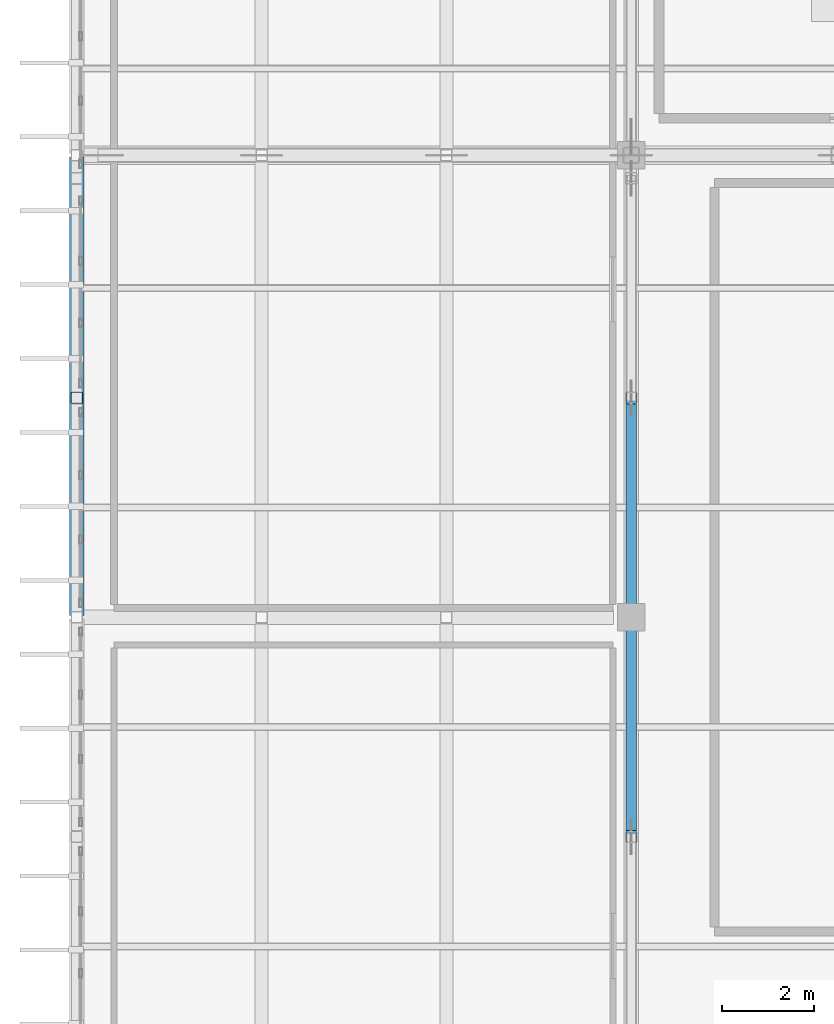
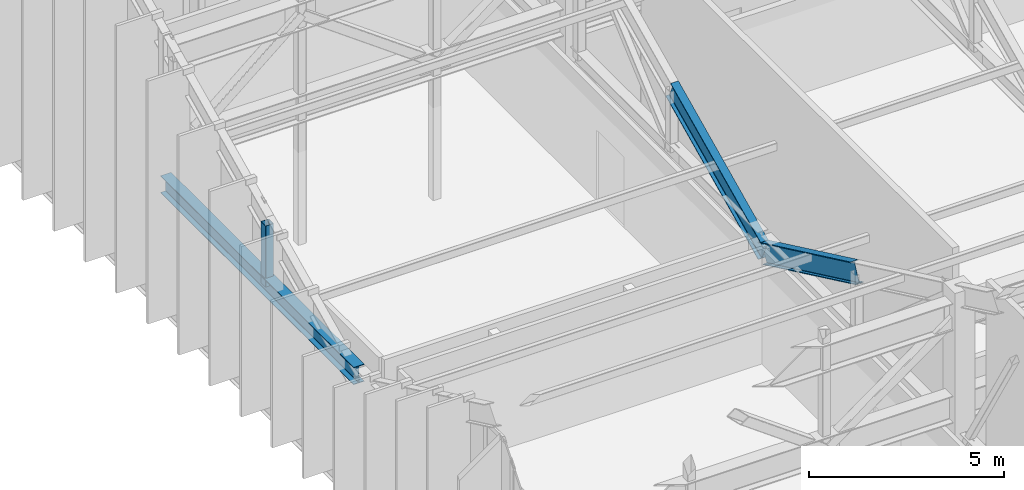
# One storey, part 19 of 68: 3 beams, 1 member.
"""IFC4 building model written with IfcOpenShell, lengths in metres."""

from ifc_helpers import new_model, si_unit, direction, frame, origin, origin_2d, place, context, subcontext, project, spatial, hollow_rectangle, i_section, extrude, material, material_profile, profile_set, type_object, element, save


model = new_model("IFC4")

# Units and contexts
model_context = context("Model", 3, precision=1e-05, world=origin(), true_north=direction((0.0, 1.0)))
body_context = subcontext(model_context, "Body", "Model", "MODEL_VIEW")
ifc_project = project(units=[si_unit("LENGTHUNIT", "METRE"), si_unit("AREAUNIT", "SQUARE_METRE"), si_unit("VOLUMEUNIT", "CUBIC_METRE"), si_unit("PLANEANGLEUNIT", "RADIAN"), si_unit("MASSUNIT", "GRAM", prefix="KILO")], contexts=[model_context])

# Site, building, storey
site_placement = place(None, origin())
site = spatial("IfcSite", under=ifc_project, at=site_placement, CompositionType="ELEMENT")
building_placement = place(site_placement, origin())
building = spatial("IfcBuilding", under=site, at=building_placement, Name="Miravela Opera House", CompositionType="ELEMENT")
storey_placement = place(building_placement, frame((0.0, 0.0, 21.760009765625)))
storey = spatial("IfcBuildingStorey", under=building, at=storey_placement, Name="L05", CompositionType="ELEMENT", Elevation=21.760009765625)

# Beams
ifc_material_1 = material(Name="Structural steel ASTM A992 Gr. 50", Category="steel")
ifc_material_profile_1 = material_profile(ifc_material_1, i_section(OverallWidth=0.31201171875, OverallDepth=0.54296875, WebThickness=0.0126953125, FlangeThickness=0.020263671875, FilletRadius=0.01611328125, at=origin_2d()), Name="W530X150")
ifc_profile_set_1 = profile_set([ifc_material_profile_1])
beam_type_1 = type_object("IfcBeamType", Name="STR-BM-W530X150", PredefinedType="BEAM", material=ifc_profile_set_1)
beam_placement = place(storey_placement, frame((15.0, 56.0400390625, 3.280029296875), z_axis=(0.0, 1.0, 0.0), x_axis=(-1.0, 0.0, 0.0)))
element("IfcBeam", 1, at=beam_placement, inside=storey, type_object=beam_type_1, Name="V-Crest Roof Truss Bottom Tie Chord X=15 Seg 3", PredefinedType="BEAM", context=body_context, shape_type="SweptSolid", body=[
    extrude(i_section(OverallWidth=0.31201171875, OverallDepth=0.54296875, WebThickness=0.0126953125, FlangeThickness=0.020263671875, FilletRadius=0.01611328125, at=origin_2d()), origin(), (0.0, 0.0, 1.0), 9.919921875),
])
ifc_material_profile_2 = material_profile(ifc_material_1, i_section(OverallWidth=0.22998046875, OverallDepth=0.616943359375, WebThickness=0.01318359375, FlangeThickness=0.022216796875, FilletRadius=0.01806640625, at=origin_2d()), Name="W610X140")
ifc_profile_set_2 = profile_set([ifc_material_profile_2])
beam_type_2 = type_object("IfcBeamType", Name="STR-BM-W610X140", PredefinedType="BEAM", material=ifc_profile_set_2)
for number, where, z_axis, x_axis, name in (
    (2, (27.0, 51.25, 5.189453125), (0.0, 0.903737838894, -0.428086344739), (-1.0, 0.0, 0.0), "V-Crest Roof Rafter Girder X=27 Seg 4"),
    (3, (27.0, 56.0, 2.939453125), (0.0, 0.903737838894, 0.428086344739), (-1.0, 0.0, 0.0), "V-Crest Roof Rafter Girder X=27 Seg 5"),
):
    element("IfcBeam", number, at=place(storey_placement, frame(where, z_axis=z_axis, x_axis=x_axis)), inside=storey, type_object=beam_type_2, Name=name, PredefinedType="BEAM", context=body_context, shape_type="SweptSolid", body=[
        extrude(i_section(OverallWidth=0.22998046875, OverallDepth=0.616943359375, WebThickness=0.01318359375, FlangeThickness=0.022216796875, FilletRadius=0.01806640625, at=origin_2d()), origin(), (0.0, 0.0, 1.0), 5.255859375),
    ])

# Member
ifc_material_2 = material(Name="Hollow structural steel ASTM A500 Gr. C", Category="steel")
ifc_material_profile_3 = material_profile(ifc_material_2, hollow_rectangle(XDim=0.25, YDim=0.25, WallThickness=0.011962890625, InnerFilletRadius=0.011962890625, OuterFilletRadius=0.02392578125, at=origin_2d()), Name="HSS250X250X12")
ifc_profile_set_3 = profile_set([ifc_material_profile_3])
member_type = type_object("IfcMemberType", Name="STR-MEM-CANT-POST2", PredefinedType="POST", material=ifc_profile_set_3)
member_placement = place(storey_placement, frame((15.0, 60.75, 3.280029296875), z_axis=(0.0, 0.0, 1.0), x_axis=(1.0, 0.0, 0.0)))
element("IfcMember", 4, at=member_placement, inside=storey, type_object=member_type, Name="V-Crest Roof Truss Panel Post X=15 Node 5", PredefinedType="POST", context=body_context, shape_type="SweptSolid", body=[
    extrude(hollow_rectangle(XDim=0.25, YDim=0.25, WallThickness=0.011962890625, InnerFilletRadius=0.011962890625, OuterFilletRadius=0.02392578125, at=origin_2d()), origin(), (0.0, 0.0, 1.0), 1.909912109375),
])

save(model, "model.ifc")
